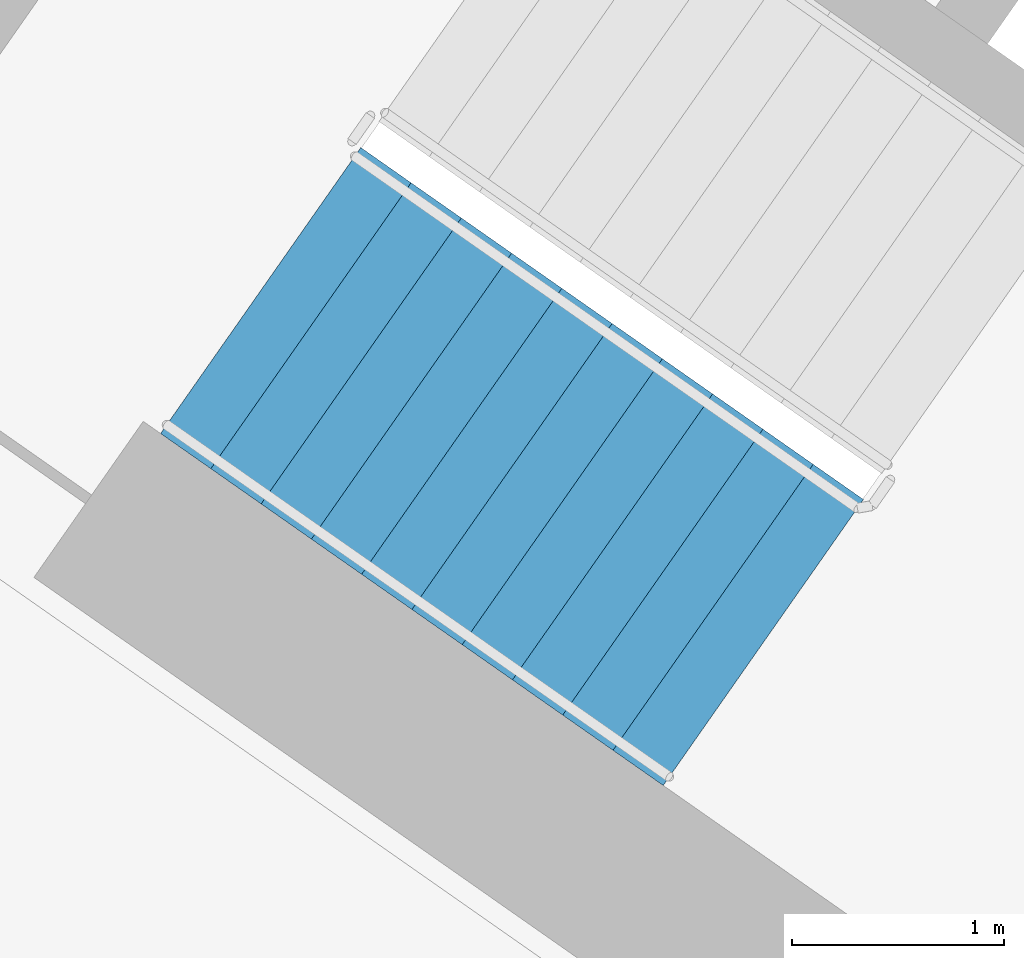
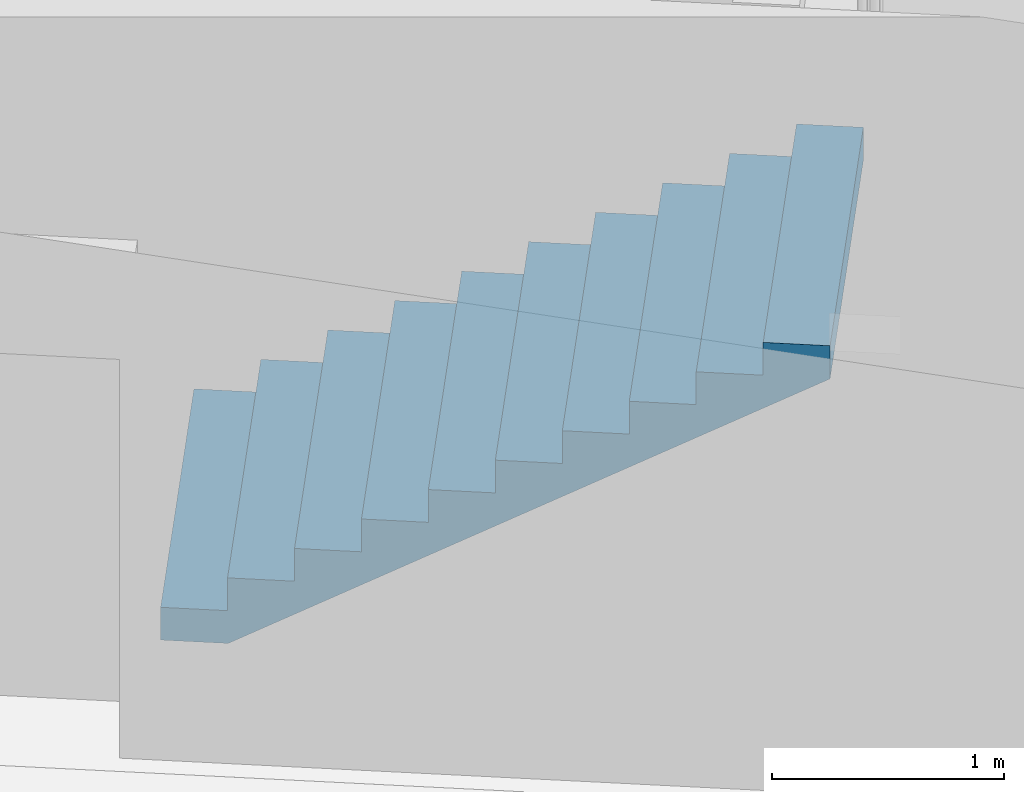
# One storey, part 9 of 29: 1 stair flight, 1 element without a shape of its own.
"""IFC4 building model written with IfcOpenShell, lengths in metres."""

from ifc_helpers import new_model, si_unit, direction, frame, origin, place, context, subcontext, project, spatial, faceted_brep, material, type_object, element, aggregate, save


model = new_model("IFC4")

# Units and contexts
model_context = context("Model", 3, precision=1e-05, world=origin(), true_north=direction((0.0, 1.0)))
body_context = subcontext(model_context, "Body", "Model", "MODEL_VIEW")
ifc_project = project(units=[si_unit("LENGTHUNIT", "METRE"), si_unit("AREAUNIT", "SQUARE_METRE"), si_unit("VOLUMEUNIT", "CUBIC_METRE"), si_unit("PLANEANGLEUNIT", "RADIAN"), si_unit("MASSUNIT", "GRAM", prefix="KILO")], contexts=[model_context])

# Site, building, storey
site_placement = place(None, origin())
site = spatial("IfcSite", under=ifc_project, at=site_placement, CompositionType="ELEMENT")
building_placement = place(site_placement, origin())
building = spatial("IfcBuilding", under=site, at=building_placement, Name="Qamariyya Broadcast Tower", CompositionType="ELEMENT")
storey_placement = place(building_placement, frame((0.0, 0.0, 121.5)))
storey = spatial("IfcBuildingStorey", under=building, at=storey_placement, Name="L27", CompositionType="ELEMENT", Elevation=121.5)

# Stair, stair flight
ifc_material = material(Name="Concrete C50/60", Category="concrete")
stair_type = type_object("IfcStairType", Name="Exit stair 22 risers of 173 mm", PredefinedType="HALF_TURN_STAIR", material=ifc_material)
stair_placement = place(storey_placement, origin())
stair = element("IfcStair", 1, at=stair_placement, inside=storey, type_object=stair_type, Name="L27 Stair W1", PredefinedType="HALF_TURN_STAIR")
stair_flight_type = type_object("IfcStairFlightType", Name="Exit stair flight 11 risers of 173 mm", PredefinedType="STRAIGHT", material=ifc_material)
stair_flight_placement = place(storey_placement, frame((-47.06884765625, -56.982666015625, 0.0), z_axis=(0.0, 0.0, 1.0), x_axis=(0.819152044289, -0.573576436351, 0.0)))
stair_flight = element("IfcStairFlight", 2, at=stair_flight_placement, type_object=stair_flight_type, Name="ST-W1 flight 1", NumberOfRisers=11, NumberOfTreads=10, PredefinedType="STRAIGHT", RiserHeight=0.172727273, TreadLength=0.29, context=body_context, shape_type="Brep", body=[
    faceted_brep([(0.0, 0.824951171875, 0.0), (0.0, 0.824951171875, 0.172607421875), (0.2900390625, 0.824951171875, 0.172607421875), (0.2900390625, 0.824951171875, 0.345458984375), (0.580078125, 0.824951171875, 0.345458984375), (0.580078125, 0.824951171875, 0.51806640625), (0.8701171875, 0.824951171875, 0.51806640625), (0.8701171875, 0.824951171875, 0.69091796875), (1.159912109375, 0.824951171875, 0.69091796875), (1.159912109375, 0.824951171875, 0.863525390625), (1.449951171875, 0.824951171875, 0.863525390625), (1.449951171875, 0.824951171875, 1.036376953125), (1.739990234375, 0.824951171875, 1.036376953125), (1.739990234375, 0.824951171875, 1.208984375), (2.030029296875, 0.824951171875, 1.208984375), (2.030029296875, 0.824951171875, 1.3818359375), (2.320068359375, 0.824951171875, 1.3818359375), (2.320068359375, 0.824951171875, 1.554443359375), (2.610107421875, 0.824951171875, 1.554443359375), (2.610107421875, 0.824951171875, 1.727294921875), (2.89990234375, 0.824951171875, 1.727294921875), (2.89990234375, 0.824951171875, 1.552734375), (0.29296875, 0.824951171875, 0.0), (0.29296875, -0.824951171875, 0.0), (2.89990234375, -0.824951171875, 1.552734375), (2.89990234375, -0.824951171875, 1.727294921875), (2.610107421875, -0.824951171875, 1.727294921875), (2.610107421875, -0.824951171875, 1.554443359375), (2.320068359375, -0.824951171875, 1.554443359375), (2.320068359375, -0.824951171875, 1.3818359375), (2.030029296875, -0.824951171875, 1.3818359375), (2.030029296875, -0.824951171875, 1.208984375), (1.739990234375, -0.824951171875, 1.208984375), (1.739990234375, -0.824951171875, 1.036376953125), (1.449951171875, -0.824951171875, 1.036376953125), (1.449951171875, -0.824951171875, 0.863525390625), (1.159912109375, -0.824951171875, 0.863525390625), (1.159912109375, -0.824951171875, 0.69091796875), (0.8701171875, -0.824951171875, 0.69091796875), (0.8701171875, -0.824951171875, 0.51806640625), (0.580078125, -0.824951171875, 0.51806640625), (0.580078125, -0.824951171875, 0.345458984375), (0.2900390625, -0.824951171875, 0.345458984375), (0.2900390625, -0.824951171875, 0.172607421875), (0.0, -0.824951171875, 0.172607421875), (0.0, -0.824951171875, 0.0), (0.0, 0.10009765625, 0.0), (0.0, 0.086669921875, 0.0), (0.0, 0.0732421875, 0.0), (0.0, 0.06005859375, 0.0), (0.0, 0.046630859375, 0.0), (0.0, 0.033447265625, 0.0), (0.0, 0.02001953125, 0.0), (0.0, 0.006591796875, 0.0), (0.0, -0.006591796875, 0.0), (0.0, -0.02001953125, 0.0), (0.0, -0.033447265625, 0.0), (0.0, -0.046630859375, 0.0), (0.0, -0.06005859375, 0.0), (0.0, -0.0732421875, 0.0), (0.0, -0.086669921875, 0.0), (0.0, -0.10009765625, 0.0), (0.0, -0.10009765625, 0.172607421875), (0.0, -0.086669921875, 0.172607421875), (0.0, -0.0732421875, 0.172607421875), (0.0, -0.06005859375, 0.172607421875), (0.0, -0.046630859375, 0.172607421875), (0.0, -0.033447265625, 0.172607421875), (0.0, -0.02001953125, 0.172607421875), (0.0, -0.006591796875, 0.172607421875), (0.0, 0.006591796875, 0.172607421875), (0.0, 0.02001953125, 0.172607421875), (0.0, 0.033447265625, 0.172607421875), (0.0, 0.046630859375, 0.172607421875), (0.0, 0.06005859375, 0.172607421875), (0.0, 0.0732421875, 0.172607421875), (0.0, 0.086669921875, 0.172607421875), (0.0, 0.10009765625, 0.172607421875), (0.2900390625, -0.10009765625, 0.172607421875), (0.2900390625, -0.086669921875, 0.172607421875), (0.2900390625, -0.0732421875, 0.172607421875), (0.2900390625, -0.06005859375, 0.172607421875), (0.2900390625, -0.046630859375, 0.172607421875), (0.2900390625, -0.033447265625, 0.172607421875), (0.2900390625, -0.02001953125, 0.172607421875), (0.2900390625, -0.006591796875, 0.172607421875), (0.2900390625, 0.006591796875, 0.172607421875), (0.2900390625, 0.02001953125, 0.172607421875), (0.2900390625, 0.033447265625, 0.172607421875), (0.2900390625, 0.046630859375, 0.172607421875), (0.2900390625, 0.06005859375, 0.172607421875), (0.2900390625, 0.0732421875, 0.172607421875), (0.2900390625, 0.086669921875, 0.172607421875), (0.2900390625, 0.10009765625, 0.172607421875), (0.2900390625, -0.10009765625, 0.345458984375), (0.2900390625, -0.086669921875, 0.345458984375), (0.2900390625, -0.0732421875, 0.345458984375), (0.2900390625, -0.06005859375, 0.345458984375), (0.2900390625, -0.046630859375, 0.345458984375), (0.2900390625, -0.033447265625, 0.345458984375), (0.2900390625, -0.02001953125, 0.345458984375), (0.2900390625, -0.006591796875, 0.345458984375), (0.2900390625, 0.006591796875, 0.345458984375), (0.2900390625, 0.02001953125, 0.345458984375), (0.2900390625, 0.033447265625, 0.345458984375), (0.2900390625, 0.046630859375, 0.345458984375), (0.2900390625, 0.06005859375, 0.345458984375), (0.2900390625, 0.0732421875, 0.345458984375), (0.2900390625, 0.086669921875, 0.345458984375), (0.2900390625, 0.10009765625, 0.345458984375), (0.580078125, -0.10009765625, 0.345458984375), (0.580078125, -0.086669921875, 0.345458984375), (0.580078125, -0.0732421875, 0.345458984375), (0.580078125, -0.06005859375, 0.345458984375), (0.580078125, -0.046630859375, 0.345458984375), (0.580078125, -0.033447265625, 0.345458984375), (0.580078125, -0.02001953125, 0.345458984375), (0.580078125, -0.006591796875, 0.345458984375), (0.580078125, 0.006591796875, 0.345458984375), (0.580078125, 0.02001953125, 0.345458984375), (0.580078125, 0.033447265625, 0.345458984375), (0.580078125, 0.046630859375, 0.345458984375), (0.580078125, 0.06005859375, 0.345458984375), (0.580078125, 0.0732421875, 0.345458984375), (0.580078125, 0.086669921875, 0.345458984375), (0.580078125, 0.10009765625, 0.345458984375), (0.580078125, -0.10009765625, 0.51806640625), (0.580078125, -0.086669921875, 0.51806640625), (0.580078125, -0.0732421875, 0.51806640625), (0.580078125, -0.06005859375, 0.51806640625), (0.580078125, -0.046630859375, 0.51806640625), (0.580078125, -0.033447265625, 0.51806640625), (0.580078125, -0.02001953125, 0.51806640625), (0.580078125, -0.006591796875, 0.51806640625), (0.580078125, 0.006591796875, 0.51806640625), (0.580078125, 0.02001953125, 0.51806640625), (0.580078125, 0.033447265625, 0.51806640625), (0.580078125, 0.046630859375, 0.51806640625), (0.580078125, 0.06005859375, 0.51806640625), (0.580078125, 0.0732421875, 0.51806640625), (0.580078125, 0.086669921875, 0.51806640625), (0.580078125, 0.10009765625, 0.51806640625), (0.8701171875, -0.10009765625, 0.51806640625), (0.8701171875, -0.086669921875, 0.51806640625), (0.8701171875, -0.0732421875, 0.51806640625), (0.8701171875, -0.06005859375, 0.51806640625), (0.8701171875, -0.046630859375, 0.51806640625), (0.8701171875, -0.033447265625, 0.51806640625), (0.8701171875, -0.02001953125, 0.51806640625), (0.8701171875, -0.006591796875, 0.51806640625), (0.8701171875, 0.006591796875, 0.51806640625), (0.8701171875, 0.02001953125, 0.51806640625), (0.8701171875, 0.033447265625, 0.51806640625), (0.8701171875, 0.046630859375, 0.51806640625), (0.8701171875, 0.06005859375, 0.51806640625), (0.8701171875, 0.0732421875, 0.51806640625), (0.8701171875, 0.086669921875, 0.51806640625), (0.8701171875, 0.10009765625, 0.51806640625), (0.8701171875, -0.10009765625, 0.69091796875), (0.8701171875, -0.086669921875, 0.69091796875), (0.8701171875, -0.0732421875, 0.69091796875), (0.8701171875, -0.06005859375, 0.69091796875), (0.8701171875, -0.046630859375, 0.69091796875), (0.8701171875, -0.033447265625, 0.69091796875), (0.8701171875, -0.02001953125, 0.69091796875), (0.8701171875, -0.006591796875, 0.69091796875), (0.8701171875, 0.006591796875, 0.69091796875), (0.8701171875, 0.02001953125, 0.69091796875), (0.8701171875, 0.033447265625, 0.69091796875), (0.8701171875, 0.046630859375, 0.69091796875), (0.8701171875, 0.06005859375, 0.69091796875), (0.8701171875, 0.0732421875, 0.69091796875), (0.8701171875, 0.086669921875, 0.69091796875), (0.8701171875, 0.10009765625, 0.69091796875), (1.159912109375, -0.10009765625, 0.69091796875), (1.159912109375, -0.086669921875, 0.69091796875), (1.159912109375, -0.0732421875, 0.69091796875), (1.159912109375, -0.06005859375, 0.69091796875), (1.159912109375, -0.046630859375, 0.69091796875), (1.159912109375, -0.033447265625, 0.69091796875), (1.159912109375, -0.02001953125, 0.69091796875), (1.159912109375, -0.006591796875, 0.69091796875), (1.159912109375, 0.006591796875, 0.69091796875), (1.159912109375, 0.02001953125, 0.69091796875), (1.159912109375, 0.033447265625, 0.69091796875), (1.159912109375, 0.046630859375, 0.69091796875), (1.159912109375, 0.06005859375, 0.69091796875), (1.159912109375, 0.0732421875, 0.69091796875), (1.159912109375, 0.086669921875, 0.69091796875), (1.159912109375, 0.10009765625, 0.69091796875), (1.159912109375, -0.10009765625, 0.863525390625), (1.159912109375, -0.086669921875, 0.863525390625), (1.159912109375, -0.0732421875, 0.863525390625), (1.159912109375, -0.06005859375, 0.863525390625), (1.159912109375, -0.046630859375, 0.863525390625), (1.159912109375, -0.033447265625, 0.863525390625), (1.159912109375, -0.02001953125, 0.863525390625), (1.159912109375, -0.006591796875, 0.863525390625), (1.159912109375, 0.006591796875, 0.863525390625), (1.159912109375, 0.02001953125, 0.863525390625), (1.159912109375, 0.033447265625, 0.863525390625), (1.159912109375, 0.046630859375, 0.863525390625), (1.159912109375, 0.06005859375, 0.863525390625), (1.159912109375, 0.0732421875, 0.863525390625), (1.159912109375, 0.086669921875, 0.863525390625), (1.159912109375, 0.10009765625, 0.863525390625), (1.449951171875, -0.10009765625, 0.863525390625), (1.449951171875, -0.086669921875, 0.863525390625), (1.449951171875, -0.0732421875, 0.863525390625), (1.449951171875, -0.06005859375, 0.863525390625), (1.449951171875, -0.046630859375, 0.863525390625), (1.449951171875, -0.033447265625, 0.863525390625), (1.449951171875, -0.02001953125, 0.863525390625), (1.449951171875, -0.006591796875, 0.863525390625), (1.449951171875, 0.006591796875, 0.863525390625), (1.449951171875, 0.02001953125, 0.863525390625), (1.449951171875, 0.033447265625, 0.863525390625), (1.449951171875, 0.046630859375, 0.863525390625), (1.449951171875, 0.06005859375, 0.863525390625), (1.449951171875, 0.0732421875, 0.863525390625), (1.449951171875, 0.086669921875, 0.863525390625), (1.449951171875, 0.10009765625, 0.863525390625), (1.449951171875, -0.10009765625, 1.036376953125), (1.449951171875, -0.086669921875, 1.036376953125), (1.449951171875, -0.0732421875, 1.036376953125), (1.449951171875, -0.06005859375, 1.036376953125), (1.449951171875, -0.046630859375, 1.036376953125), (1.449951171875, -0.033447265625, 1.036376953125), (1.449951171875, -0.02001953125, 1.036376953125), (1.449951171875, -0.006591796875, 1.036376953125), (1.449951171875, 0.006591796875, 1.036376953125), (1.449951171875, 0.02001953125, 1.036376953125), (1.449951171875, 0.033447265625, 1.036376953125), (1.449951171875, 0.046630859375, 1.036376953125), (1.449951171875, 0.06005859375, 1.036376953125), (1.449951171875, 0.0732421875, 1.036376953125), (1.449951171875, 0.086669921875, 1.036376953125), (1.449951171875, 0.10009765625, 1.036376953125), (1.739990234375, -0.10009765625, 1.036376953125), (1.739990234375, -0.086669921875, 1.036376953125), (1.739990234375, -0.0732421875, 1.036376953125), (1.739990234375, -0.06005859375, 1.036376953125), (1.739990234375, -0.046630859375, 1.036376953125), (1.739990234375, -0.033447265625, 1.036376953125), (1.739990234375, -0.02001953125, 1.036376953125), (1.739990234375, -0.006591796875, 1.036376953125), (1.739990234375, 0.006591796875, 1.036376953125), (1.739990234375, 0.02001953125, 1.036376953125), (1.739990234375, 0.033447265625, 1.036376953125), (1.739990234375, 0.046630859375, 1.036376953125), (1.739990234375, 0.06005859375, 1.036376953125), (1.739990234375, 0.0732421875, 1.036376953125), (1.739990234375, 0.086669921875, 1.036376953125), (1.739990234375, 0.10009765625, 1.036376953125), (1.739990234375, -0.10009765625, 1.208984375), (1.739990234375, -0.086669921875, 1.208984375), (1.739990234375, -0.0732421875, 1.208984375), (1.739990234375, -0.06005859375, 1.208984375), (1.739990234375, -0.046630859375, 1.208984375), (1.739990234375, -0.033447265625, 1.208984375), (1.739990234375, -0.02001953125, 1.208984375), (1.739990234375, -0.006591796875, 1.208984375), (1.739990234375, 0.006591796875, 1.208984375), (1.739990234375, 0.02001953125, 1.208984375), (1.739990234375, 0.033447265625, 1.208984375), (1.739990234375, 0.046630859375, 1.208984375), (1.739990234375, 0.06005859375, 1.208984375), (1.739990234375, 0.0732421875, 1.208984375), (1.739990234375, 0.086669921875, 1.208984375), (1.739990234375, 0.10009765625, 1.208984375), (2.030029296875, -0.10009765625, 1.208984375), (2.030029296875, -0.086669921875, 1.208984375), (2.030029296875, -0.0732421875, 1.208984375), (2.030029296875, -0.06005859375, 1.208984375), (2.030029296875, -0.046630859375, 1.208984375), (2.030029296875, -0.033447265625, 1.208984375), (2.030029296875, -0.02001953125, 1.208984375), (2.030029296875, -0.006591796875, 1.208984375), (2.030029296875, 0.006591796875, 1.208984375), (2.030029296875, 0.02001953125, 1.208984375), (2.030029296875, 0.033447265625, 1.208984375), (2.030029296875, 0.046630859375, 1.208984375), (2.030029296875, 0.06005859375, 1.208984375), (2.030029296875, 0.0732421875, 1.208984375), (2.030029296875, 0.086669921875, 1.208984375), (2.030029296875, 0.10009765625, 1.208984375), (2.030029296875, -0.10009765625, 1.3818359375), (2.030029296875, -0.086669921875, 1.3818359375), (2.030029296875, -0.0732421875, 1.3818359375), (2.030029296875, -0.06005859375, 1.3818359375), (2.030029296875, -0.046630859375, 1.3818359375), (2.030029296875, -0.033447265625, 1.3818359375), (2.030029296875, -0.02001953125, 1.3818359375), (2.030029296875, -0.006591796875, 1.3818359375), (2.030029296875, 0.006591796875, 1.3818359375), (2.030029296875, 0.02001953125, 1.3818359375), (2.030029296875, 0.033447265625, 1.3818359375), (2.030029296875, 0.046630859375, 1.3818359375), (2.030029296875, 0.06005859375, 1.3818359375), (2.030029296875, 0.0732421875, 1.3818359375), (2.030029296875, 0.086669921875, 1.3818359375), (2.030029296875, 0.10009765625, 1.3818359375), (2.320068359375, -0.10009765625, 1.3818359375), (2.320068359375, -0.086669921875, 1.3818359375), (2.320068359375, -0.0732421875, 1.3818359375), (2.320068359375, -0.06005859375, 1.3818359375), (2.320068359375, -0.046630859375, 1.3818359375), (2.320068359375, -0.033447265625, 1.3818359375), (2.320068359375, -0.02001953125, 1.3818359375), (2.320068359375, -0.006591796875, 1.3818359375), (2.320068359375, 0.006591796875, 1.3818359375), (2.320068359375, 0.02001953125, 1.3818359375), (2.320068359375, 0.033447265625, 1.3818359375), (2.320068359375, 0.046630859375, 1.3818359375), (2.320068359375, 0.06005859375, 1.3818359375), (2.320068359375, 0.0732421875, 1.3818359375), (2.320068359375, 0.086669921875, 1.3818359375), (2.320068359375, 0.10009765625, 1.3818359375), (2.320068359375, -0.10009765625, 1.554443359375), (2.320068359375, -0.086669921875, 1.554443359375), (2.320068359375, -0.0732421875, 1.554443359375), (2.320068359375, -0.06005859375, 1.554443359375), (2.320068359375, -0.046630859375, 1.554443359375), (2.320068359375, -0.033447265625, 1.554443359375), (2.320068359375, -0.02001953125, 1.554443359375), (2.320068359375, -0.006591796875, 1.554443359375), (2.320068359375, 0.006591796875, 1.554443359375), (2.320068359375, 0.02001953125, 1.554443359375), (2.320068359375, 0.033447265625, 1.554443359375), (2.320068359375, 0.046630859375, 1.554443359375), (2.320068359375, 0.06005859375, 1.554443359375), (2.320068359375, 0.0732421875, 1.554443359375), (2.320068359375, 0.086669921875, 1.554443359375), (2.320068359375, 0.10009765625, 1.554443359375), (2.610107421875, -0.10009765625, 1.554443359375), (2.610107421875, -0.086669921875, 1.554443359375), (2.610107421875, -0.0732421875, 1.554443359375), (2.610107421875, -0.06005859375, 1.554443359375), (2.610107421875, -0.046630859375, 1.554443359375), (2.610107421875, -0.033447265625, 1.554443359375), (2.610107421875, -0.02001953125, 1.554443359375), (2.610107421875, -0.006591796875, 1.554443359375), (2.610107421875, 0.006591796875, 1.554443359375), (2.610107421875, 0.02001953125, 1.554443359375), (2.610107421875, 0.033447265625, 1.554443359375), (2.610107421875, 0.046630859375, 1.554443359375), (2.610107421875, 0.06005859375, 1.554443359375), (2.610107421875, 0.0732421875, 1.554443359375), (2.610107421875, 0.086669921875, 1.554443359375), (2.610107421875, 0.10009765625, 1.554443359375), (2.610107421875, -0.10009765625, 1.727294921875), (2.610107421875, -0.086669921875, 1.727294921875), (2.610107421875, -0.0732421875, 1.727294921875), (2.610107421875, -0.06005859375, 1.727294921875), (2.610107421875, -0.046630859375, 1.727294921875), (2.610107421875, -0.033447265625, 1.727294921875), (2.610107421875, -0.02001953125, 1.727294921875), (2.610107421875, -0.006591796875, 1.727294921875), (2.610107421875, 0.006591796875, 1.727294921875), (2.610107421875, 0.02001953125, 1.727294921875), (2.610107421875, 0.033447265625, 1.727294921875), (2.610107421875, 0.046630859375, 1.727294921875), (2.610107421875, 0.06005859375, 1.727294921875), (2.610107421875, 0.0732421875, 1.727294921875), (2.610107421875, 0.086669921875, 1.727294921875), (2.610107421875, 0.10009765625, 1.727294921875), (2.89990234375, -0.10009765625, 1.727294921875), (2.89990234375, -0.086669921875, 1.727294921875), (2.89990234375, -0.0732421875, 1.727294921875), (2.89990234375, -0.06005859375, 1.727294921875), (2.89990234375, -0.046630859375, 1.727294921875), (2.89990234375, -0.033447265625, 1.727294921875), (2.89990234375, -0.02001953125, 1.727294921875), (2.89990234375, -0.006591796875, 1.727294921875), (2.89990234375, 0.006591796875, 1.727294921875), (2.89990234375, 0.02001953125, 1.727294921875), (2.89990234375, 0.033447265625, 1.727294921875), (2.89990234375, 0.046630859375, 1.727294921875), (2.89990234375, 0.06005859375, 1.727294921875), (2.89990234375, 0.0732421875, 1.727294921875), (2.89990234375, 0.086669921875, 1.727294921875), (2.89990234375, 0.10009765625, 1.727294921875), (2.89990234375, -0.10009765625, 1.552734375), (2.89990234375, -0.086669921875, 1.552734375), (2.89990234375, -0.0732421875, 1.552734375), (2.89990234375, -0.06005859375, 1.552734375), (2.89990234375, -0.046630859375, 1.552734375), (2.89990234375, -0.033447265625, 1.552734375), (2.89990234375, -0.02001953125, 1.552734375), (2.89990234375, -0.006591796875, 1.552734375), (2.89990234375, 0.006591796875, 1.552734375), (2.89990234375, 0.02001953125, 1.552734375), (2.89990234375, 0.033447265625, 1.552734375), (2.89990234375, 0.046630859375, 1.552734375), (2.89990234375, 0.06005859375, 1.552734375), (2.89990234375, 0.0732421875, 1.552734375), (2.89990234375, 0.086669921875, 1.552734375), (2.89990234375, 0.10009765625, 1.552734375), (0.29296875, -0.10009765625, 0.0), (0.29296875, -0.086669921875, 0.0), (0.29296875, -0.0732421875, 0.0), (0.29296875, -0.06005859375, 0.0), (0.29296875, -0.046630859375, 0.0), (0.29296875, -0.033447265625, 0.0), (0.29296875, -0.02001953125, 0.0), (0.29296875, -0.006591796875, 0.0), (0.29296875, 0.006591796875, 0.0), (0.29296875, 0.02001953125, 0.0), (0.29296875, 0.033447265625, 0.0), (0.29296875, 0.046630859375, 0.0), (0.29296875, 0.06005859375, 0.0), (0.29296875, 0.0732421875, 0.0), (0.29296875, 0.086669921875, 0.0), (0.29296875, 0.10009765625, 0.0)], [[[0, 1, 2, 3, 4, 5, 6, 7, 8, 9, 10, 11, 12, 13, 14, 15, 16, 17, 18, 19, 20, 21, 22]], [[23, 24, 25, 26, 27, 28, 29, 30, 31, 32, 33, 34, 35, 36, 37, 38, 39, 40, 41, 42, 43, 44, 45]], [[0, 46, 47, 48, 49, 50, 51, 52, 53, 54, 55, 56, 57, 58, 59, 60, 61, 45, 44, 62, 63, 64, 65, 66, 67, 68, 69, 70, 71, 72, 73, 74, 75, 76, 77, 1]], [[1, 77, 76, 75, 74, 73, 72, 71, 70, 69, 68, 67, 66, 65, 64, 63, 62, 44, 43, 78, 79, 80, 81, 82, 83, 84, 85, 86, 87, 88, 89, 90, 91, 92, 93, 2]], [[2, 93, 92, 91, 90, 89, 88, 87, 86, 85, 84, 83, 82, 81, 80, 79, 78, 43, 42, 94, 95, 96, 97, 98, 99, 100, 101, 102, 103, 104, 105, 106, 107, 108, 109, 3]], [[3, 109, 108, 107, 106, 105, 104, 103, 102, 101, 100, 99, 98, 97, 96, 95, 94, 42, 41, 110, 111, 112, 113, 114, 115, 116, 117, 118, 119, 120, 121, 122, 123, 124, 125, 4]], [[4, 125, 124, 123, 122, 121, 120, 119, 118, 117, 116, 115, 114, 113, 112, 111, 110, 41, 40, 126, 127, 128, 129, 130, 131, 132, 133, 134, 135, 136, 137, 138, 139, 140, 141, 5]], [[5, 141, 140, 139, 138, 137, 136, 135, 134, 133, 132, 131, 130, 129, 128, 127, 126, 40, 39, 142, 143, 144, 145, 146, 147, 148, 149, 150, 151, 152, 153, 154, 155, 156, 157, 6]], [[6, 157, 156, 155, 154, 153, 152, 151, 150, 149, 148, 147, 146, 145, 144, 143, 142, 39, 38, 158, 159, 160, 161, 162, 163, 164, 165, 166, 167, 168, 169, 170, 171, 172, 173, 7]], [[7, 173, 172, 171, 170, 169, 168, 167, 166, 165, 164, 163, 162, 161, 160, 159, 158, 38, 37, 174, 175, 176, 177, 178, 179, 180, 181, 182, 183, 184, 185, 186, 187, 188, 189, 8]], [[8, 189, 188, 187, 186, 185, 184, 183, 182, 181, 180, 179, 178, 177, 176, 175, 174, 37, 36, 190, 191, 192, 193, 194, 195, 196, 197, 198, 199, 200, 201, 202, 203, 204, 205, 9]], [[9, 205, 204, 203, 202, 201, 200, 199, 198, 197, 196, 195, 194, 193, 192, 191, 190, 36, 35, 206, 207, 208, 209, 210, 211, 212, 213, 214, 215, 216, 217, 218, 219, 220, 221, 10]], [[10, 221, 220, 219, 218, 217, 216, 215, 214, 213, 212, 211, 210, 209, 208, 207, 206, 35, 34, 222, 223, 224, 225, 226, 227, 228, 229, 230, 231, 232, 233, 234, 235, 236, 237, 11]], [[11, 237, 236, 235, 234, 233, 232, 231, 230, 229, 228, 227, 226, 225, 224, 223, 222, 34, 33, 238, 239, 240, 241, 242, 243, 244, 245, 246, 247, 248, 249, 250, 251, 252, 253, 12]], [[12, 253, 252, 251, 250, 249, 248, 247, 246, 245, 244, 243, 242, 241, 240, 239, 238, 33, 32, 254, 255, 256, 257, 258, 259, 260, 261, 262, 263, 264, 265, 266, 267, 268, 269, 13]], [[13, 269, 268, 267, 266, 265, 264, 263, 262, 261, 260, 259, 258, 257, 256, 255, 254, 32, 31, 270, 271, 272, 273, 274, 275, 276, 277, 278, 279, 280, 281, 282, 283, 284, 285, 14]], [[14, 285, 284, 283, 282, 281, 280, 279, 278, 277, 276, 275, 274, 273, 272, 271, 270, 31, 30, 286, 287, 288, 289, 290, 291, 292, 293, 294, 295, 296, 297, 298, 299, 300, 301, 15]], [[15, 301, 300, 299, 298, 297, 296, 295, 294, 293, 292, 291, 290, 289, 288, 287, 286, 30, 29, 302, 303, 304, 305, 306, 307, 308, 309, 310, 311, 312, 313, 314, 315, 316, 317, 16]], [[16, 317, 316, 315, 314, 313, 312, 311, 310, 309, 308, 307, 306, 305, 304, 303, 302, 29, 28, 318, 319, 320, 321, 322, 323, 324, 325, 326, 327, 328, 329, 330, 331, 332, 333, 17]], [[17, 333, 332, 331, 330, 329, 328, 327, 326, 325, 324, 323, 322, 321, 320, 319, 318, 28, 27, 334, 335, 336, 337, 338, 339, 340, 341, 342, 343, 344, 345, 346, 347, 348, 349, 18]], [[18, 349, 348, 347, 346, 345, 344, 343, 342, 341, 340, 339, 338, 337, 336, 335, 334, 27, 26, 350, 351, 352, 353, 354, 355, 356, 357, 358, 359, 360, 361, 362, 363, 364, 365, 19]], [[19, 365, 364, 363, 362, 361, 360, 359, 358, 357, 356, 355, 354, 353, 352, 351, 350, 26, 25, 366, 367, 368, 369, 370, 371, 372, 373, 374, 375, 376, 377, 378, 379, 380, 381, 20]], [[20, 381, 380, 379, 378, 377, 376, 375, 374, 373, 372, 371, 370, 369, 368, 367, 366, 25, 24, 382, 383, 384, 385, 386, 387, 388, 389, 390, 391, 392, 393, 394, 395, 396, 397, 21]], [[21, 397, 396, 395, 394, 393, 392, 391, 390, 389, 388, 387, 386, 385, 384, 383, 382, 24, 23, 398, 399, 400, 401, 402, 403, 404, 405, 406, 407, 408, 409, 410, 411, 412, 413, 22]], [[22, 413, 412, 411, 410, 409, 408, 407, 406, 405, 404, 403, 402, 401, 400, 399, 398, 23, 45, 61, 60, 59, 58, 57, 56, 55, 54, 53, 52, 51, 50, 49, 48, 47, 46, 0]]]),
])
aggregate(stair, [stair_flight])

save(model, "model.ifc")
